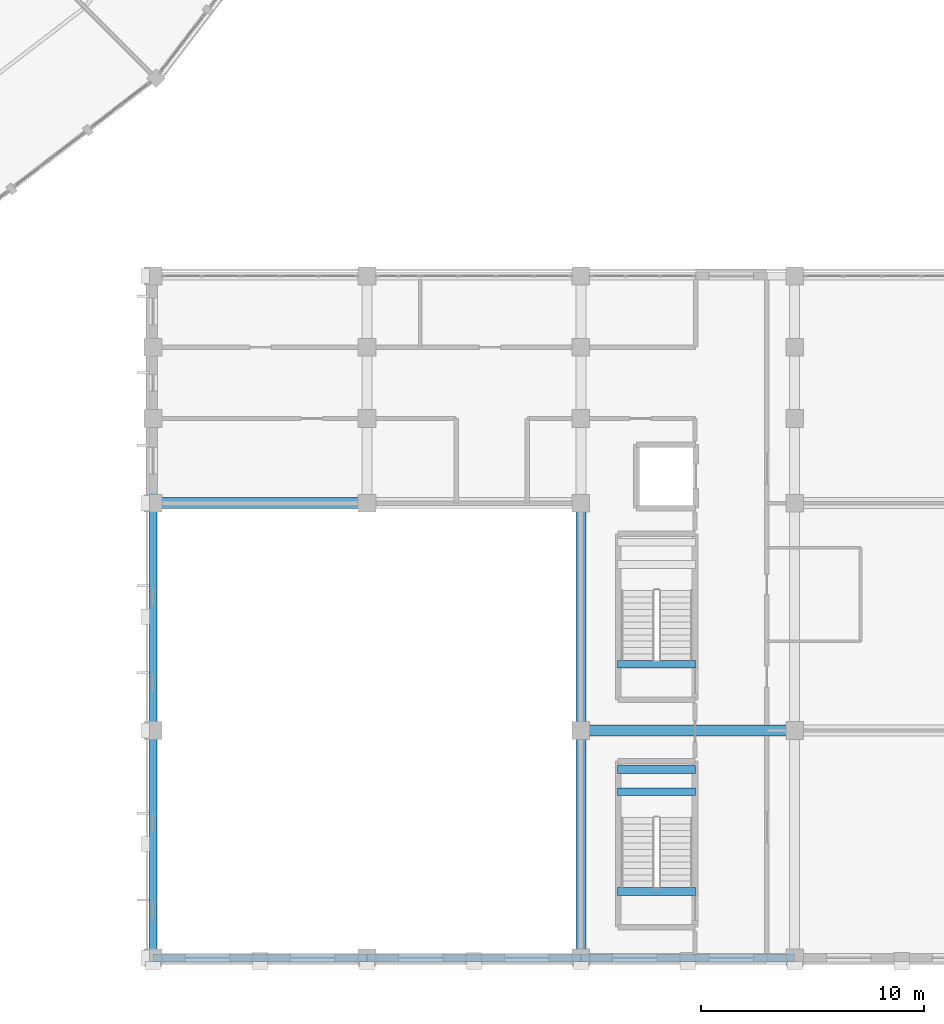
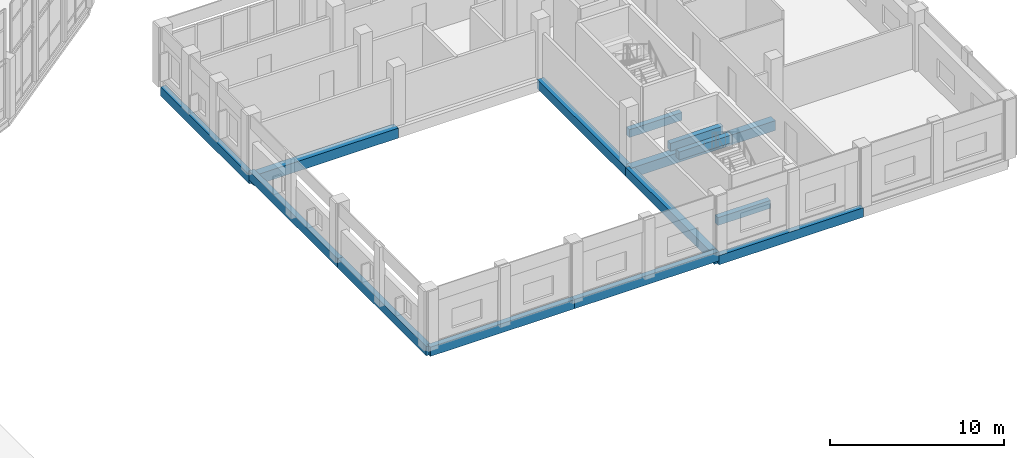
# One storey, part 86 of 170: 14 beams.
"""IFC4 building model written with IfcOpenShell, lengths in metres."""

from ifc_helpers import new_model, si_unit, direction, frame, origin, origin_2d, place, context, subcontext, project, spatial, rectangle, extrude, material, material_profile, profile_set, type_object, element, save


model = new_model("IFC4")

# Units and contexts
model_context = context("Model", 3, precision=1e-05, world=origin(), true_north=direction((0.0, 1.0)))
body_context = subcontext(model_context, "Body", "Model", "MODEL_VIEW")
ifc_project = project(units=[si_unit("LENGTHUNIT", "METRE"), si_unit("AREAUNIT", "SQUARE_METRE"), si_unit("VOLUMEUNIT", "CUBIC_METRE"), si_unit("PLANEANGLEUNIT", "RADIAN"), si_unit("MASSUNIT", "GRAM", prefix="KILO")], contexts=[model_context])

# Site, building, storey
site_placement = place(None, origin())
site = spatial("IfcSite", under=ifc_project, at=site_placement, CompositionType="ELEMENT")
building_placement = place(site_placement, origin())
building = spatial("IfcBuilding", under=site, at=building_placement, Name="Vondelvale Polytechnic", CompositionType="ELEMENT")
storey_placement = place(building_placement, frame((0.0, 0.0, 5.39990234375)))
storey = spatial("IfcBuildingStorey", under=building, at=storey_placement, Name="L01", CompositionType="ELEMENT", Elevation=5.39990234375)

# Beams
ifc_material_1 = material(Name="Concrete N40 (f'c = 40 MPa)", Category="concrete")
ifc_material_profile_1 = material_profile(ifc_material_1, rectangle(XDim=0.35009765625, YDim=0.550048828125, at=origin_2d()), Name="RC-BM-350x550")
ifc_profile_set_1 = profile_set([ifc_material_profile_1], Name="Concrete N40 (f'c = 40 MPa)")
beam_type_1 = type_object("IfcBeamType", Name="BM-RC350x550", PredefinedType="BEAM", material=ifc_profile_set_1)
for number, where, z_axis, x_axis, name in (
    (1, (158.75, 7.449951171875, 1.625), (-1.0, 0.0, 0.0), (0.0, -1.0, 0.0), "L01 STLD B-06"),
    (2, (158.75, 8.449951171875, 1.625), (-1.0, 0.0, 0.0), (0.0, -1.0, 0.0), "L01 STLD B-06"),
    (3, (158.75, 2.97509765625, -0.27490234375), (-1.0, 0.0, 0.0), (0.0, -1.0, 0.0), "L01 STHD B-06"),
    (4, (158.75, 13.175048828125, -0.27490234375), (-1.0, 0.0, 0.0), (0.0, -1.0, 0.0), "L01 STHD B-06"),
):
    element("IfcBeam", number, at=place(storey_placement, frame(where, z_axis=z_axis, x_axis=x_axis)), inside=storey, type_object=beam_type_1, Name=name, PredefinedType="BEAM", context=body_context, shape_type="SweptSolid", body=[
        extrude(rectangle(XDim=0.35009765625, YDim=0.550048828125, at=origin_2d()), origin(), (0.0, 0.0, 1.0), 3.5),
    ])
ifc_material_profile_2 = material_profile(ifc_material_1, rectangle(XDim=0.449951171875, YDim=0.64990234375, at=origin_2d()), Name="RC-BM-450x650")
ifc_profile_set_2 = profile_set([ifc_material_profile_2], Name="Concrete N40 (f'c = 40 MPa)")
beam_type_2 = type_object("IfcBeamType", Name="BM-RC450x650", PredefinedType="BEAM", material=ifc_profile_set_2)
for number, where, z_axis, x_axis, name in (
    (5, (153.60009765625, 0.0, -0.60498046875), (0.0, 1.0, 0.0), (-1.0, 0.0, 0.0), "L01 B B-04"),
    (6, (153.60009765625, 10.199951171875, -0.60498046875), (0.0, 1.0, 0.0), (-1.0, 0.0, 0.0), "L01 B B-04"),
):
    element("IfcBeam", number, at=place(storey_placement, frame(where, z_axis=z_axis, x_axis=x_axis)), inside=storey, type_object=beam_type_2, Name=name, PredefinedType="BEAM", context=body_context, shape_type="SweptSolid", body=[
        extrude(rectangle(XDim=0.449951171875, YDim=0.64990234375, at=origin_2d()), origin(), (0.0, 0.0, 1.0), 10.199951171875),
    ])
ifc_material_profile_3 = material_profile(ifc_material_1, rectangle(XDim=0.5, YDim=0.699951171875, at=origin_2d()), Name="RC-BM-500x700")
ifc_profile_set_3 = profile_set([ifc_material_profile_3], Name="Concrete N40 (f'c = 40 MPa)")
beam_type_3 = type_object("IfcBeamType", Name="BM-RC500x700", PredefinedType="BEAM", material=ifc_profile_set_3)
beam_1_placement = place(storey_placement, frame((153.60009765625, 10.199951171875, -0.6298828125), z_axis=(1.0, 0.0, 0.0), x_axis=(0.0, 1.0, 0.0)))
element("IfcBeam", 7, at=beam_1_placement, inside=storey, type_object=beam_type_3, Name="L01 B B-03", PredefinedType="BEAM", context=body_context, shape_type="SweptSolid", body=[
    extrude(rectangle(XDim=0.5, YDim=0.699951171875, at=origin_2d()), origin(), (0.0, 0.0, 1.0), 9.599853515625),
])
beam_2_placement = place(storey_placement, frame((134.39990234375, 20.39990234375, -0.6298828125), z_axis=(1.0, 0.0, 0.0), x_axis=(0.0, 1.0, 0.0)))
element("IfcBeam", 8, at=beam_2_placement, inside=storey, type_object=beam_type_3, Name="L01 B B-03", PredefinedType="BEAM", context=body_context, shape_type="SweptSolid", body=[
    extrude(rectangle(XDim=0.5, YDim=0.699951171875, at=origin_2d()), origin(), (0.0, 0.0, 1.0), 9.60009765625),
])
ifc_material_2 = material(Name="Precast concrete N40 (f'c = 40 MPa)", Category="concrete")
ifc_material_profile_4 = material_profile(ifc_material_2, rectangle(XDim=0.35009765625, YDim=0.64990234375, at=origin_2d()), Name="RC-SPN-350x650")
ifc_profile_set_4 = profile_set([ifc_material_profile_4], Name="Precast concrete N40 (f'c = 40 MPa)")
beam_type_4 = type_object("IfcBeamType", Name="SPN-PRE350x650", PredefinedType="SPANDREL", material=ifc_profile_set_4)
for number, where, z_axis, x_axis, name in (
    (9, (134.39990234375, 0.0, -0.324951171875), (1.0, 0.0, 0.0), (0.0, 1.0, 0.0), "L01 B SP-02"),
    (10, (144.0, 0.0, -0.324951171875), (1.0, 0.0, 0.0), (0.0, 1.0, 0.0), "L01 B SP-02"),
):
    element("IfcBeam", number, at=place(storey_placement, frame(where, z_axis=z_axis, x_axis=x_axis)), inside=storey, type_object=beam_type_4, Name=name, PredefinedType="SPANDREL", context=body_context, shape_type="SweptSolid", body=[
        extrude(rectangle(XDim=0.35009765625, YDim=0.64990234375, at=origin_2d()), origin(), (0.0, 0.0, 1.0), 9.60009765625),
    ])
beam_3_placement = place(storey_placement, frame((153.60009765625, 0.0, -0.60498046875), z_axis=(1.0, 0.0, 0.0), x_axis=(0.0, 1.0, 0.0)))
element("IfcBeam", 11, at=beam_3_placement, inside=storey, type_object=beam_type_4, Name="L01 B SP-02", PredefinedType="SPANDREL", context=body_context, shape_type="SweptSolid", body=[
    extrude(rectangle(XDim=0.35009765625, YDim=0.64990234375, at=origin_2d()), origin(), (0.0, 0.0, 1.0), 9.599853515625),
])
for number, where, z_axis, x_axis, name in (
    (12, (134.39990234375, 0.0, -0.324951171875), (0.0, 1.0, 0.0), (-1.0, 0.0, 0.0), "L01 B SP-02"),
    (13, (134.39990234375, 10.199951171875, -0.324951171875), (0.0, 1.0, 0.0), (-1.0, 0.0, 0.0), "L01 B SP-02"),
):
    element("IfcBeam", number, at=place(storey_placement, frame(where, z_axis=z_axis, x_axis=x_axis)), inside=storey, type_object=beam_type_4, Name=name, PredefinedType="SPANDREL", context=body_context, shape_type="SweptSolid", body=[
        extrude(rectangle(XDim=0.35009765625, YDim=0.64990234375, at=origin_2d()), origin(), (0.0, 0.0, 1.0), 10.199951171875),
    ])
beam_4_placement = place(storey_placement, frame((134.39990234375, 20.39990234375, -0.60498046875), z_axis=(0.0, 1.0, 0.0), x_axis=(-1.0, 0.0, 0.0)))
element("IfcBeam", 14, at=beam_4_placement, inside=storey, type_object=beam_type_4, Name="L01 B SP-02", PredefinedType="SPANDREL", context=body_context, shape_type="SweptSolid", body=[
    extrude(rectangle(XDim=0.35009765625, YDim=0.64990234375, at=origin_2d()), origin(), (0.0, 0.0, 1.0), 10.2001953125),
])

save(model, "model.ifc")
